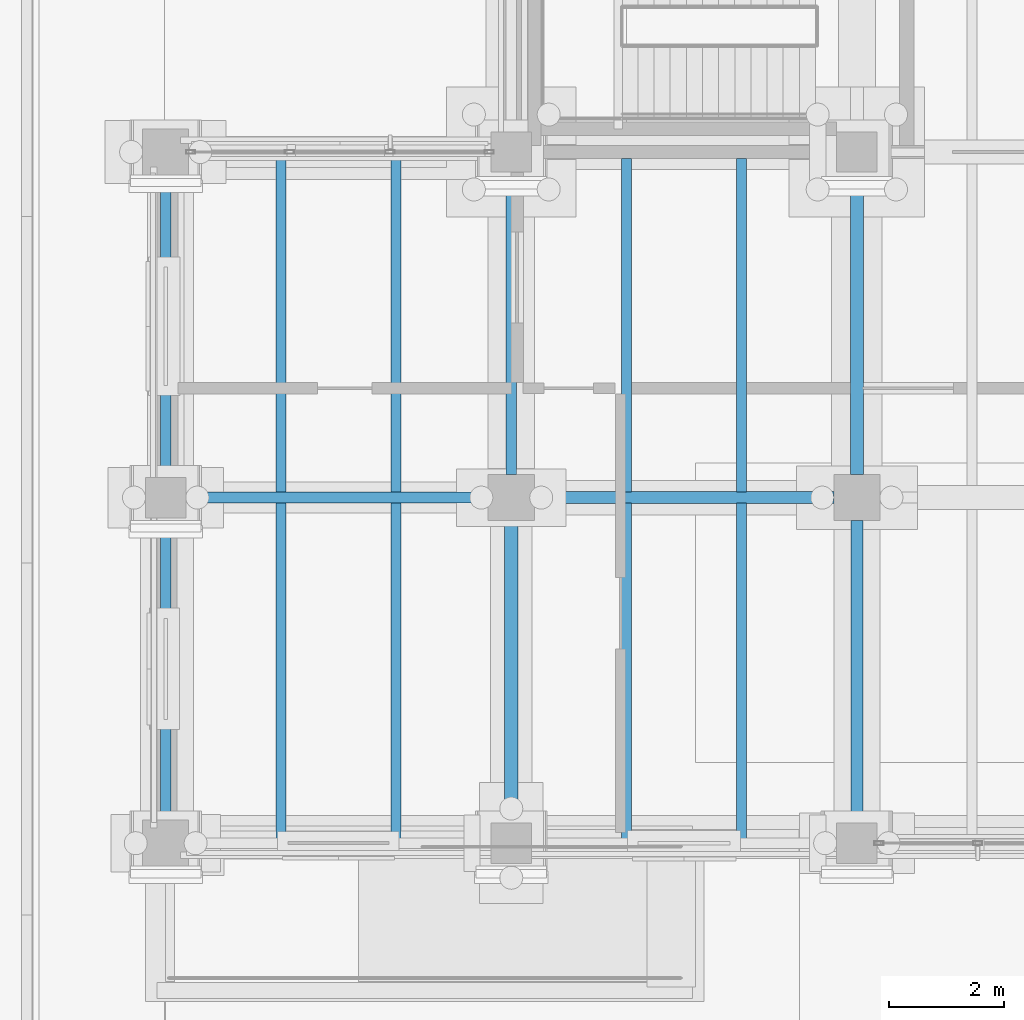
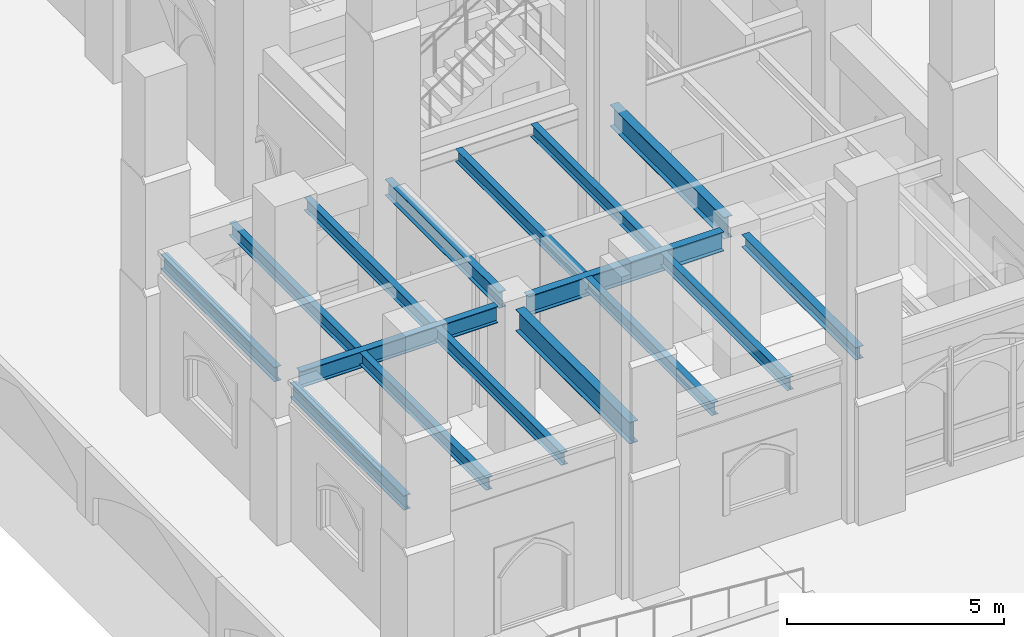
# One storey, part 20 of 135: 16 beams.
"""IFC4 building model written with IfcOpenShell, lengths in metres."""

from ifc_helpers import new_model, si_unit, direction, frame, origin, origin_2d, place, context, subcontext, project, spatial, i_section, extrude, material, material_profile, profile_set, type_object, element, save


model = new_model("IFC4")

# Units and contexts
model_context = context("Model", 3, precision=1e-05, world=origin(), true_north=direction((0.0, 1.0)))
body_context = subcontext(model_context, "Body", "Model", "MODEL_VIEW")
ifc_project = project(units=[si_unit("LENGTHUNIT", "METRE"), si_unit("AREAUNIT", "SQUARE_METRE"), si_unit("VOLUMEUNIT", "CUBIC_METRE"), si_unit("PLANEANGLEUNIT", "RADIAN"), si_unit("MASSUNIT", "GRAM", prefix="KILO")], contexts=[model_context])

# Site, building, storey
site_placement = place(None, origin())
site = spatial("IfcSite", under=ifc_project, at=site_placement, CompositionType="ELEMENT")
building_placement = place(site_placement, origin())
building = spatial("IfcBuilding", under=site, at=building_placement, Name="Cumevento Cable Car Station", CompositionType="ELEMENT")
storey_placement = place(building_placement, origin())
storey = spatial("IfcBuildingStorey", under=building, at=storey_placement, Name="L01", CompositionType="ELEMENT", Elevation=0.0)

# Beams
ifc_material_1 = material(Name="Steel ASTM A572 Grade 50", Category="steel")
ifc_material_profile_1 = material_profile(ifc_material_1, i_section(OverallWidth=0.22802734375, OverallDepth=0.60791015625, WebThickness=0.01123046875, FlangeThickness=0.017333984375, at=origin_2d()), Name="W610x113.0")
ifc_profile_set_1 = profile_set([ifc_material_profile_1], Name="Steel ASTM A572 Grade 50")
beam_type_1 = type_object("IfcBeamType", Name="Structural Beam BM-02 W610x113.0", PredefinedType="BEAM", material=ifc_profile_set_1)
for number, where, z_axis, x_axis, name in (
    (1, (10.0, 15.35009765625, 3.912109375), (0.0, 1.0, 0.0), (-1.0, 0.0, 0.0), "Beam BM-02 L01 #103"),
    (2, (16.0, 21.39990234375, 3.89990234375), (0.0, 1.0, 0.0), (-1.0, 0.0, 0.0), "Beam BM-02 L01 #106"),
):
    element("IfcBeam", number, at=place(storey_placement, frame(where, z_axis=z_axis, x_axis=x_axis)), inside=storey, type_object=beam_type_1, Name=name, PredefinedType="BEAM", context=body_context, shape_type="SweptSolid", body=[
        extrude(i_section(OverallWidth=0.22802734375, OverallDepth=0.60791015625, WebThickness=0.01123046875, FlangeThickness=0.017333984375, at=origin_2d()), origin(), (0.0, 0.0, 1.0), 5.25),
    ])
ifc_material_2 = material(Name="Steel ASTM A572 Grade 50", Category="steel")
ifc_material_profile_2 = material_profile(ifc_material_2, i_section(OverallWidth=0.18994140625, OverallDepth=0.45703125, WebThickness=0.009033203125, FlangeThickness=0.014404296875, at=origin_2d()), Name="W460x74.0")
ifc_profile_set_2 = profile_set([ifc_material_profile_2], Name="Steel ASTM A572 Grade 50")
beam_type_2 = type_object("IfcBeamType", Name="Structural Beam BM-04 W460x74.0", PredefinedType="BEAM", material=ifc_profile_set_2)
beam_1_placement = place(storey_placement, frame((10.0, 21.39990234375, 3.9755859375), z_axis=(0.0, 1.0, 0.0), x_axis=(-1.0, 0.0, 0.0)))
element("IfcBeam", 3, at=beam_1_placement, inside=storey, type_object=beam_type_2, Name="Beam BM-04 L01 #104", PredefinedType="BEAM", context=body_context, shape_type="SweptSolid", body=[
    extrude(i_section(OverallWidth=0.18994140625, OverallDepth=0.45703125, WebThickness=0.009033203125, FlangeThickness=0.014404296875, at=origin_2d()), origin(), (0.0, 0.0, 1.0), 5.25),
])
ifc_material_3 = material(Name="Steel ASTM A572 Grade 50", Category="steel")
ifc_material_profile_3 = material_profile(ifc_material_3, i_section(OverallWidth=0.205078125, OverallDepth=0.35400390625, WebThickness=0.009521484375, FlangeThickness=0.016845703125, at=origin_2d()), Name="W360x79.0")
ifc_profile_set_3 = profile_set([ifc_material_profile_3], Name="Steel ASTM A572 Grade 50")
beam_type_3 = type_object("IfcBeamType", Name="Structural Beam BM-05 W360x79.0", PredefinedType="BEAM", material=ifc_profile_set_3)
beam_2_placement = place(storey_placement, frame((16.0, 15.35009765625, 4.0390625), z_axis=(0.0, 1.0, 0.0), x_axis=(-1.0, 0.0, 0.0)))
element("IfcBeam", 4, at=beam_2_placement, inside=storey, type_object=beam_type_3, Name="Beam BM-05 L01 #105", PredefinedType="BEAM", context=body_context, shape_type="SweptSolid", body=[
    extrude(i_section(OverallWidth=0.205078125, OverallDepth=0.35400390625, WebThickness=0.009521484375, FlangeThickness=0.016845703125, at=origin_2d()), origin(), (0.0, 0.0, 1.0), 5.25),
])
ifc_material_4 = material(Name="Steel ASTM A572 Grade 50", Category="steel")
ifc_material_profile_4 = material_profile(ifc_material_4, i_section(OverallWidth=0.19189453125, OverallDepth=0.462890625, WebThickness=0.010498046875, FlangeThickness=0.017578125, at=origin_2d()), Name="W460x89.0")
ifc_profile_set_4 = profile_set([ifc_material_profile_4], Name="Steel ASTM A572 Grade 50")
beam_type_4 = type_object("IfcBeamType", Name="Structural Beam BM-10 W460x89.0", PredefinedType="BEAM", material=ifc_profile_set_4)
beam_3_placement = place(storey_placement, frame((4.35009765625, 21.0, 3.984619140625), z_axis=(1.0, 0.0, 0.0), x_axis=(0.0, 1.0, 0.0)))
element("IfcBeam", 5, at=beam_3_placement, inside=storey, type_object=beam_type_4, Name="Beam BM-10 L01 #95", PredefinedType="BEAM", context=body_context, shape_type="SweptSolid", body=[
    extrude(i_section(OverallWidth=0.19189453125, OverallDepth=0.462890625, WebThickness=0.010498046875, FlangeThickness=0.017578125, at=origin_2d()), origin(), (0.0, 0.0, 1.0), 5.25),
])
ifc_material_5 = material(Name="Steel ASTM A572 Grade 50", Category="steel")
ifc_material_profile_5 = material_profile(ifc_material_5, i_section(OverallWidth=0.2109375, OverallDepth=0.5390625, WebThickness=0.01171875, FlangeThickness=0.018798828125, at=origin_2d()), Name="W530x109.0")
ifc_profile_set_5 = profile_set([ifc_material_profile_5], Name="Steel ASTM A572 Grade 50")
beam_type_5 = type_object("IfcBeamType", Name="Structural Beam BM-11 W530x109.0", PredefinedType="BEAM", material=ifc_profile_set_5)
beam_4_placement = place(storey_placement, frame((10.39990234375, 21.0, 3.946533203125), z_axis=(1.0, 0.0, 0.0), x_axis=(0.0, 1.0, 0.0)))
element("IfcBeam", 6, at=beam_4_placement, inside=storey, type_object=beam_type_5, Name="Beam BM-11 L01 #96", PredefinedType="BEAM", context=body_context, shape_type="SweptSolid", body=[
    extrude(i_section(OverallWidth=0.2109375, OverallDepth=0.5390625, WebThickness=0.01171875, FlangeThickness=0.018798828125, at=origin_2d()), origin(), (0.0, 0.0, 1.0), 5.2001953125),
])
ifc_material_6 = material(Name="Steel ASTM A572 Grade 50", Category="steel")
ifc_material_profile_6 = material_profile(ifc_material_6, i_section(OverallWidth=0.1708984375, OverallDepth=0.35498046875, WebThickness=0.007080078125, FlangeThickness=0.01171875, at=origin_2d()), Name="W360x51.0")
ifc_profile_set_6 = profile_set([ifc_material_profile_6], Name="Steel ASTM A572 Grade 50")
beam_type_6 = type_object("IfcBeamType", Name="Structural Joist JS-01 W360x51.0", PredefinedType="JOIST", material=ifc_profile_set_6)
for number, where, z_axis, x_axis, name in (
    (7, (6.0, 15.076904296875, 4.03857421875), (0.0, 1.0, 0.0), (-1.0, 0.0, 0.0), "Composite Floor Joist JS-01 L01 #362"),
    (8, (6.0, 21.083984375, 4.03857421875), (0.0, 1.0, 0.0), (-1.0, 0.0, 0.0), "Composite Floor Joist JS-01 L01 #363"),
    (9, (8.0, 15.076904296875, 4.03857421875), (0.0, 1.0, 0.0), (-1.0, 0.0, 0.0), "Composite Floor Joist JS-01 L01 #364"),
    (10, (8.0, 21.083984375, 4.03857421875), (0.0, 1.0, 0.0), (-1.0, 0.0, 0.0), "Composite Floor Joist JS-01 L01 #365"),
):
    element("IfcBeam", number, at=place(storey_placement, frame(where, z_axis=z_axis, x_axis=x_axis)), inside=storey, type_object=beam_type_6, Name=name, PredefinedType="JOIST", context=body_context, shape_type="SweptSolid", body=[
        extrude(i_section(OverallWidth=0.1708984375, OverallDepth=0.35498046875, WebThickness=0.007080078125, FlangeThickness=0.01171875, at=origin_2d()), origin(), (0.0, 0.0, 1.0), 5.839111328125),
    ])
beam_5_placement = place(storey_placement, frame((12.0, 15.076904296875, 4.03857421875), z_axis=(0.0, 1.0, 0.0), x_axis=(-1.0, 0.0, 0.0)))
element("IfcBeam", 11, at=beam_5_placement, inside=storey, type_object=beam_type_6, Name="Composite Floor Joist JS-01 L01 #366", PredefinedType="JOIST", context=body_context, shape_type="SweptSolid", body=[
    extrude(i_section(OverallWidth=0.1708984375, OverallDepth=0.35498046875, WebThickness=0.007080078125, FlangeThickness=0.01171875, at=origin_2d()), origin(), (0.0, 0.0, 1.0), 5.82958984375),
])
beam_6_placement = place(storey_placement, frame((12.0, 21.093505859375, 4.026611328125), z_axis=(0.0, 1.0, 0.0), x_axis=(-1.0, 0.0, 0.0)))
element("IfcBeam", 12, at=beam_6_placement, inside=storey, type_object=beam_type_6, Name="Composite Floor Joist JS-01 L01 #367", PredefinedType="JOIST", context=body_context, shape_type="SweptSolid", body=[
    extrude(i_section(OverallWidth=0.1708984375, OverallDepth=0.35498046875, WebThickness=0.007080078125, FlangeThickness=0.01171875, at=origin_2d()), origin(), (0.0, 0.0, 1.0), 5.79150390625),
])
beam_7_placement = place(storey_placement, frame((14.0, 15.076904296875, 4.03857421875), z_axis=(0.0, 1.0, 0.0), x_axis=(-1.0, 0.0, 0.0)))
element("IfcBeam", 13, at=beam_7_placement, inside=storey, type_object=beam_type_6, Name="Composite Floor Joist JS-01 L01 #368", PredefinedType="JOIST", context=body_context, shape_type="SweptSolid", body=[
    extrude(i_section(OverallWidth=0.1708984375, OverallDepth=0.35498046875, WebThickness=0.007080078125, FlangeThickness=0.01171875, at=origin_2d()), origin(), (0.0, 0.0, 1.0), 5.82958984375),
])
beam_8_placement = place(storey_placement, frame((14.0, 21.093505859375, 4.026611328125), z_axis=(0.0, 1.0, 0.0), x_axis=(-1.0, 0.0, 0.0)))
element("IfcBeam", 14, at=beam_8_placement, inside=storey, type_object=beam_type_6, Name="Composite Floor Joist JS-01 L01 #369", PredefinedType="JOIST", context=body_context, shape_type="SweptSolid", body=[
    extrude(i_section(OverallWidth=0.1708984375, OverallDepth=0.35498046875, WebThickness=0.007080078125, FlangeThickness=0.01171875, at=origin_2d()), origin(), (0.0, 0.0, 1.0), 5.79150390625),
])
ifc_material_7 = material(Name="Steel ASTM A572 Grade 50", Category="steel")
ifc_material_profile_7 = material_profile(ifc_material_7, i_section(OverallWidth=0.177978515625, OverallDepth=0.406982421875, WebThickness=0.0078125, FlangeThickness=0.0126953125, at=origin_2d()), Name="W410x60.0")
ifc_profile_set_7 = profile_set([ifc_material_profile_7], Name="Steel ASTM A572 Grade 50")
beam_type_7 = type_object("IfcBeamType", Name="Structural Spandrel SP-01 W410x60.0", PredefinedType="SPANDREL", material=ifc_profile_set_7)
for number, where, z_axis, x_axis, name in (
    (15, (4.0, 15.39990234375, 4.012451171875), (0.0, 1.0, 0.0), (-1.0, 0.0, 0.0), "Beam SP-01 L01 #101"),
    (16, (4.0, 21.35009765625, 4.012451171875), (0.0, 1.0, 0.0), (-1.0, 0.0, 0.0), "Beam SP-01 L01 #102"),
):
    element("IfcBeam", number, at=place(storey_placement, frame(where, z_axis=z_axis, x_axis=x_axis)), inside=storey, type_object=beam_type_7, Name=name, PredefinedType="SPANDREL", context=body_context, shape_type="SweptSolid", body=[
        extrude(i_section(OverallWidth=0.177978515625, OverallDepth=0.406982421875, WebThickness=0.0078125, FlangeThickness=0.0126953125, at=origin_2d()), origin(), (0.0, 0.0, 1.0), 5.25),
    ])

save(model, "model.ifc")
